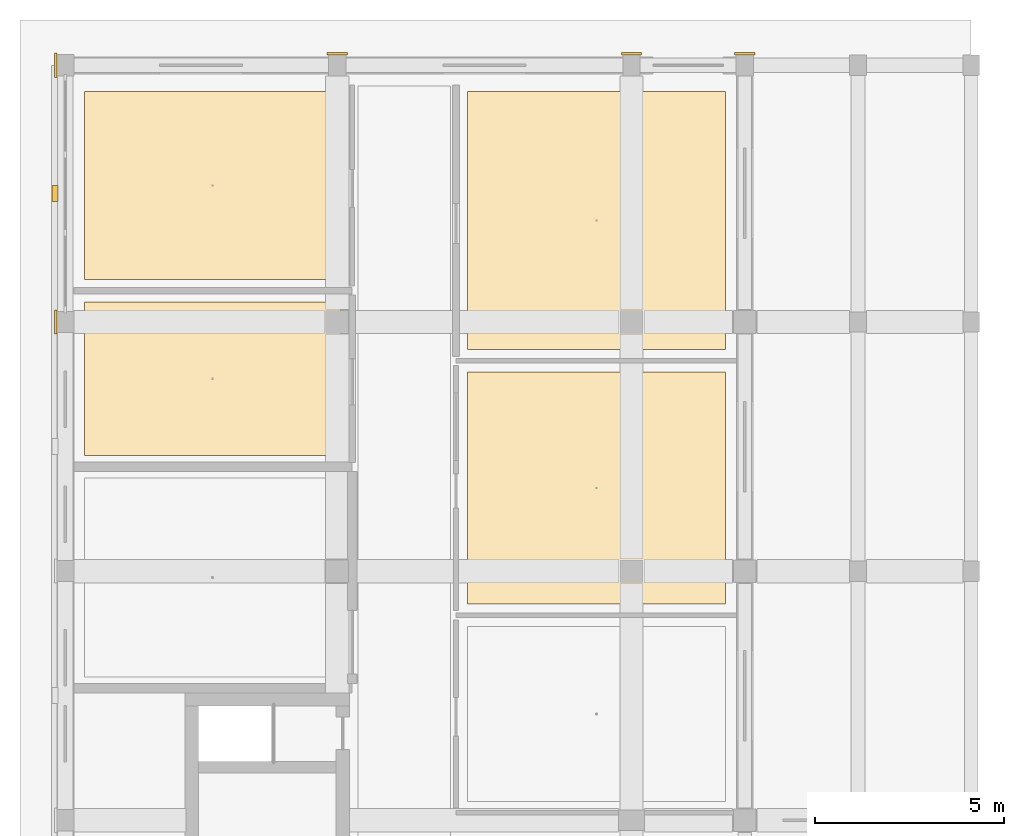
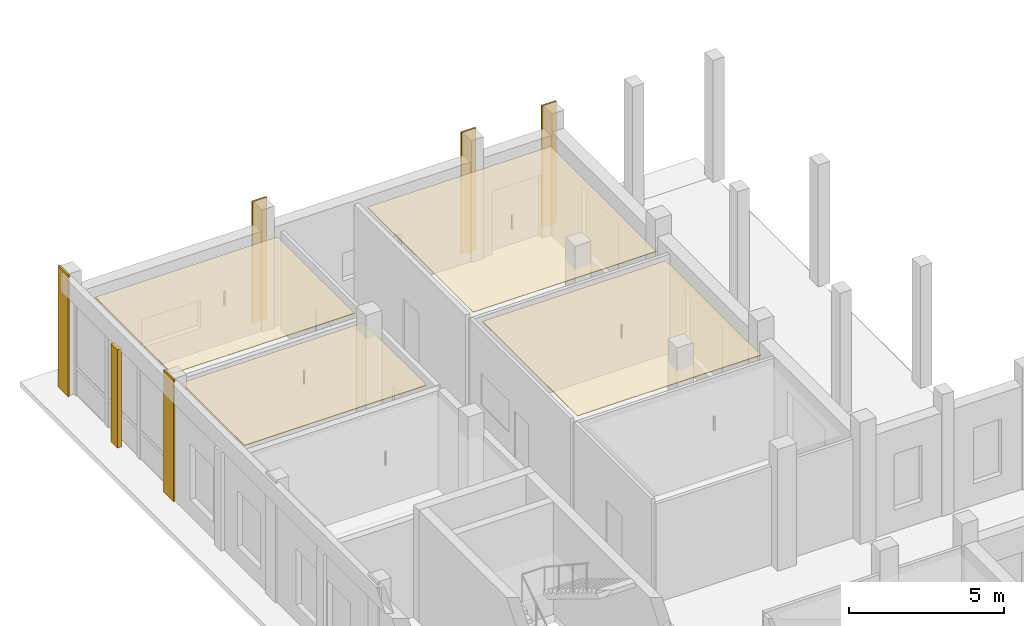
# One storey, part 77 of 88: 10 coverings.
"""IFC4 building model written with IfcOpenShell, lengths in metres."""

from ifc_helpers import new_model, si_unit, derived_unit, direction, frame, origin, origin_2d, place, context, subcontext, project, spatial, polyline, rectangle, outline, extrude, material, layer, layer_set, type_object, element, save


model = new_model("IFC4")

# Units and contexts
model_context = context("Model", 3, precision=1e-05, world=origin(), true_north=direction((0.0, 1.0)))
body_context = subcontext(model_context, "Body", "Model", "MODEL_VIEW")
ifc_project = project(units=[si_unit("LENGTHUNIT", "METRE"), si_unit("AREAUNIT", "SQUARE_METRE"), si_unit("VOLUMEUNIT", "CUBIC_METRE"), si_unit("PLANEANGLEUNIT", "RADIAN"), si_unit("MASSUNIT", "GRAM", prefix="KILO"), derived_unit("THERMALTRANSMITTANCEUNIT", [(si_unit("POWERUNIT", "WATT"), 1), (si_unit("LENGTHUNIT", "METRE"), -2), (si_unit("THERMODYNAMICTEMPERATUREUNIT", "KELVIN"), -1)])], contexts=[model_context])

# Site, building, storey
site_placement = place(None, origin())
site = spatial("IfcSite", under=ifc_project, at=site_placement, CompositionType="ELEMENT")
building_placement = place(site_placement, origin())
building = spatial("IfcBuilding", under=site, at=building_placement, Name="Braskholm Square Health Centre", CompositionType="ELEMENT")
storey_placement = place(building_placement, origin())
storey = spatial("IfcBuildingStorey", under=building, at=storey_placement, Name="L01", CompositionType="ELEMENT", Elevation=0.0)

# Coverings
ifc_material_1 = material(Name="Fire-rated gypsum board barrier")
ifc_layer_1 = layer(ifc_material_1, 0.02490234375)
ifc_layer_set_1 = layer_set([ifc_layer_1], Name="Fire-rated gypsum board barrier")
covering_type_1 = type_object("IfcCoveringType", Name="AcousticClinicalCeilingTile", PredefinedType="CEILING", material=ifc_layer_set_1)
covering_1_placement = place(storey_placement, frame((0.0, 0.0, 3.864990234375)))
element("IfcCovering", 1, at=covering_1_placement, inside=storey, type_object=covering_type_1, Name="Acoustic ceiling L01-032", PredefinedType="CEILING", context=body_context, shape_type="SweptSolid", body=[
    extrude(outline(polyline([(4.705078125, 103.4599609375), (11.5, 103.4599609375), (11.5, 107.530029296875), (4.705078125, 107.530029296875), (4.705078125, 103.4599609375)])), origin(), (0.0, 0.0, 1.0), 0.02490234375),
])
covering_2_placement = place(storey_placement, frame((0.0, 0.0, 3.864990234375)))
element("IfcCovering", 2, at=covering_2_placement, inside=storey, type_object=covering_type_1, Name="Acoustic ceiling L01-033", PredefinedType="CEILING", context=body_context, shape_type="SweptSolid", body=[
    extrude(outline(polyline([(4.705078125, 108.1298828125), (11.5, 108.1298828125), (11.5, 113.10009765625), (4.705078125, 113.10009765625), (4.705078125, 108.1298828125)])), origin(), (0.0, 0.0, 1.0), 0.02490234375),
])
covering_3_placement = place(storey_placement, frame((0.0, 0.0, 3.864990234375)))
element("IfcCovering", 3, at=covering_3_placement, inside=storey, type_object=covering_type_1, Name="Acoustic ceiling L01-043", PredefinedType="CEILING", context=body_context, shape_type="SweptSolid", body=[
    extrude(outline(polyline([(14.85009765625, 99.530029296875), (21.695068359375, 99.530029296875), (21.695068359375, 105.669921875), (14.85009765625, 105.669921875), (14.85009765625, 99.530029296875)])), origin(), (0.0, 0.0, 1.0), 0.02490234375),
])
covering_4_placement = place(storey_placement, frame((0.0, 0.0, 3.864990234375)))
element("IfcCovering", 4, at=covering_4_placement, inside=storey, type_object=covering_type_1, Name="Acoustic ceiling L01-044", PredefinedType="CEILING", context=body_context, shape_type="SweptSolid", body=[
    extrude(outline(polyline([(14.85009765625, 106.27001953125), (21.695068359375, 106.27001953125), (21.695068359375, 113.10009765625), (14.85009765625, 113.10009765625), (14.85009765625, 106.27001953125)])), origin(), (0.0, 0.0, 1.0), 0.02490234375),
])
ifc_material_2 = material(Name="Mankato-Kasota dolomitic limestone ashlar", Category="masonry")
ifc_layer_2 = layer(ifc_material_2, 0.090087890625)
ifc_layer_set_2 = layer_set([ifc_layer_2], Name="Mankato-Kasota dolomitic limestone ashlar")
covering_type_2 = type_object("IfcCoveringType", Name="KasotaAshlarBaseCladding", PredefinedType="CLADDING", material=ifc_layer_set_2)
covering_5_placement = place(storey_placement, frame((3.929931640625, 110.39990234375, 0.0), z_axis=(0.0, 0.0, 1.0), x_axis=(1.0, 0.0, 0.0)))
element("IfcCovering", 5, at=covering_5_placement, inside=storey, type_object=covering_type_2, Name="Fluted Kasota limestone base pilaster 0395", PredefinedType="CLADDING", context=body_context, shape_type="SweptSolid", body=[
    extrude(rectangle(XDim=0.159912109375, YDim=0.419921875, at=origin_2d()), origin(), (0.0, 0.0, 1.0), 3.8701171875),
])
ifc_material_3 = material(Name="Precast concrete C40/50 architectural white", Category="concrete")
ifc_layer_3 = layer(ifc_material_3, 0.054931640625)
ifc_layer_set_3 = layer_set([ifc_layer_3], Name="Precast concrete C40/50 architectural white")
covering_type_3 = type_object("IfcCoveringType", Name="PrecastWhiteColumnCasing", PredefinedType="CLADDING", material=ifc_layer_set_3)
for number, where, z_axis, x_axis, name in (
    (6, (3.945068359375, 107.0, 0.0), (0.0, 0.0, 1.0), (1.0, 0.0, 0.0), "Giant-order white precast column casing 0136"),
    (7, (3.945068359375, 113.800048828125, 0.0), (0.0, 0.0, 1.0), (1.0, 0.0, 0.0), "Giant-order white precast column casing 0145"),
):
    element("IfcCovering", number, at=place(storey_placement, frame(where, z_axis=z_axis, x_axis=x_axis)), inside=storey, type_object=covering_type_3, Name=name, PredefinedType="CLADDING", context=body_context, shape_type="SweptSolid", body=[
        extrude(rectangle(XDim=0.06005859375, YDim=0.639892578125, at=origin_2d()), origin(), (0.0, 0.0, 1.0), 4.800048828125),
    ])
for number, where, z_axis, x_axis, name in (
    (8, (11.39990234375, 114.10498046875, 0.0), (0.0, 0.0, 1.0), (1.0, 0.0, 0.0), "Giant-order white precast column casing 0160"),
    (9, (19.199951171875, 114.10498046875, 0.0), (0.0, 0.0, 1.0), (1.0, 0.0, 0.0), "Giant-order white precast column casing 0172"),
    (10, (22.199951171875, 114.10498046875, 0.0), (0.0, 0.0, 1.0), (1.0, 0.0, 0.0), "Giant-order white precast column casing 0180"),
):
    element("IfcCovering", number, at=place(storey_placement, frame(where, z_axis=z_axis, x_axis=x_axis)), inside=storey, type_object=covering_type_3, Name=name, PredefinedType="CLADDING", context=body_context, shape_type="SweptSolid", body=[
        extrude(rectangle(XDim=0.5400390625, YDim=0.06005859375, at=origin_2d()), origin(), (0.0, 0.0, 1.0), 4.800048828125),
    ])

save(model, "model.ifc")
